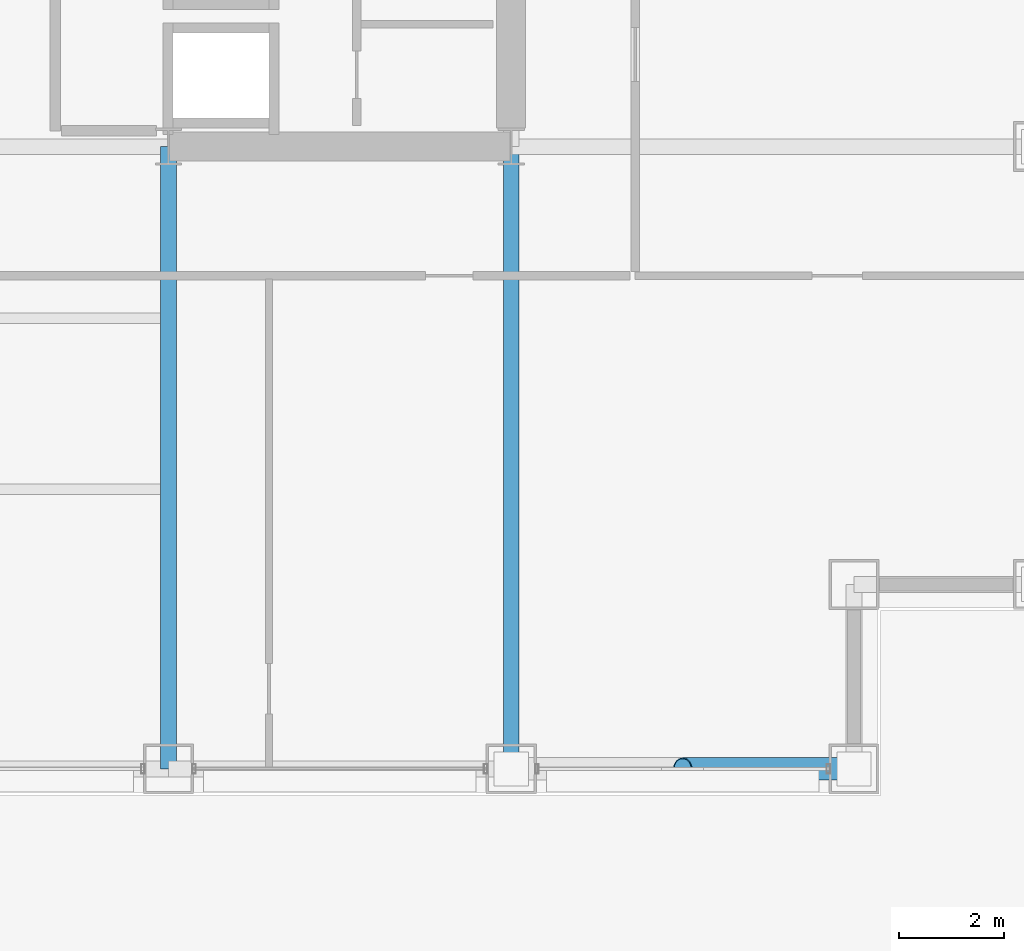
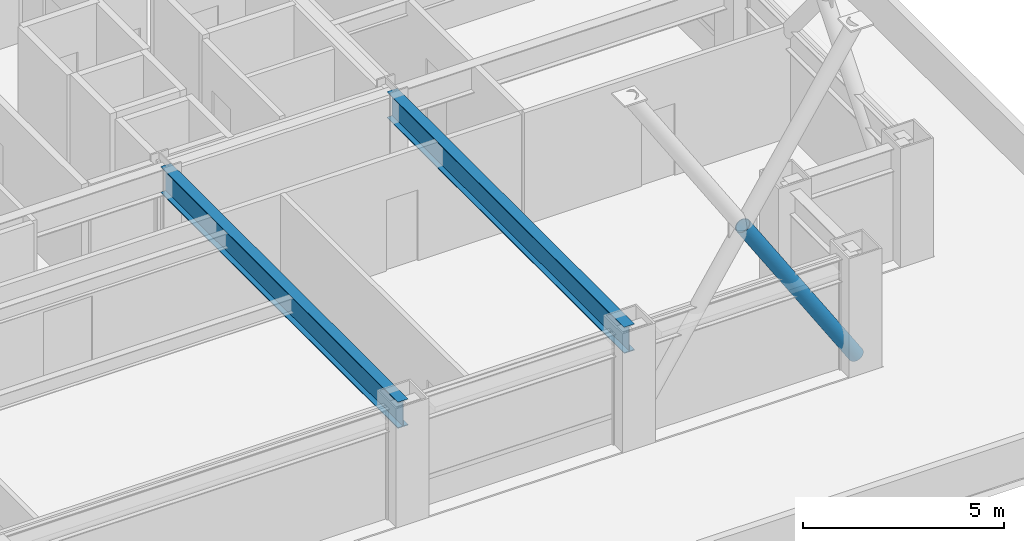
# One storey, part 11 of 33: 2 beams, 1 member.
"""IFC4 building model written with IfcOpenShell, lengths in metres."""

from ifc_helpers import new_model, si_unit, direction, frame, origin, origin_2d, place, context, subcontext, project, spatial, hollow_circle, i_section, extrude, material, material_profile, profile_set, type_object, element, save


model = new_model("IFC4")

# Units and contexts
model_context = context("Model", 3, precision=1e-05, world=origin(), true_north=direction((0.0, 1.0)))
body_context = subcontext(model_context, "Body", "Model", "MODEL_VIEW")
ifc_project = project(units=[si_unit("LENGTHUNIT", "METRE"), si_unit("AREAUNIT", "SQUARE_METRE"), si_unit("VOLUMEUNIT", "CUBIC_METRE"), si_unit("PLANEANGLEUNIT", "RADIAN"), si_unit("MASSUNIT", "GRAM", prefix="KILO")], contexts=[model_context])

# Site, building, storey
site_placement = place(None, origin())
site = spatial("IfcSite", under=ifc_project, at=site_placement, CompositionType="ELEMENT")
building_placement = place(site_placement, origin())
building = spatial("IfcBuilding", under=site, at=building_placement, Name="Brelmoor Portico Tower", CompositionType="ELEMENT")
storey_placement = place(building_placement, frame((0.0, 0.0, 24.0)))
storey = spatial("IfcBuildingStorey", under=building, at=storey_placement, Name="L05", CompositionType="ELEMENT", Elevation=24.0)

# Beams
ifc_material = material(Name="Steel Q355B", Category="steel")
ifc_material_profile_1 = material_profile(ifc_material, i_section(OverallWidth=0.300048828125, OverallDepth=0.800048828125, WebThickness=0.013916015625, FlangeThickness=0.02587890625, at=origin_2d()), Name="HN 800x300x14x26")
ifc_profile_set_1 = profile_set([ifc_material_profile_1], Name="Steel Q355B")
beam_type = type_object("IfcBeamType", Name="BM-PG-800", PredefinedType="BEAM", material=ifc_profile_set_1)
for number, where, z_axis, x_axis, name in (
    (1, (8.050048828125, -21.550048828125, 3.0), (0.0, 1.0, 0.0), (-1.0, 0.0, 0.0), "L05 Primary Floor Girder PG-09"),
    (2, (14.550048828125, -21.550048828125, 3.0), (0.0, 1.0, 0.0), (-1.0, 0.0, 0.0), "L05 Primary Floor Girder PG-11"),
):
    element("IfcBeam", number, at=place(storey_placement, frame(where, z_axis=z_axis, x_axis=x_axis)), inside=storey, type_object=beam_type, Name=name, PredefinedType="BEAM", context=body_context, shape_type="SweptSolid", body=[
        extrude(i_section(OverallWidth=0.300048828125, OverallDepth=0.800048828125, WebThickness=0.013916015625, FlangeThickness=0.02587890625, at=origin_2d()), origin(), (0.0, 0.0, 1.0), 11.800048828125),
    ])

# Member
ifc_material_profile_2 = material_profile(ifc_material, hollow_circle(Radius=0.212890625, WallThickness=0.02001953125, at=origin_2d()), Name="CHS 426x20")
ifc_profile_set_2 = profile_set([ifc_material_profile_2], Name="Steel Q355B")
member_type = type_object("IfcMemberType", Name="MB-BELT-DIAG1", PredefinedType="BRACE", material=ifc_profile_set_2)
member_placement = place(storey_placement, frame((21.050048828125, -21.550048828125, 0.25), z_axis=(-0.541174623135, 0.0, 0.840910237347), x_axis=(0.0, -1.0, 0.0)))
element("IfcMember", 3, at=member_placement, inside=storey, type_object=member_type, Name="L05 Split Mega-X Brace 002B1", PredefinedType="BRACE", context=body_context, shape_type="SweptSolid", body=[
    extrude(hollow_circle(Radius=0.212890625, WallThickness=0.02001953125, at=origin_2d()), origin(), (0.0, 0.0, 1.0), 6.00537109375),
])

save(model, "model.ifc")
